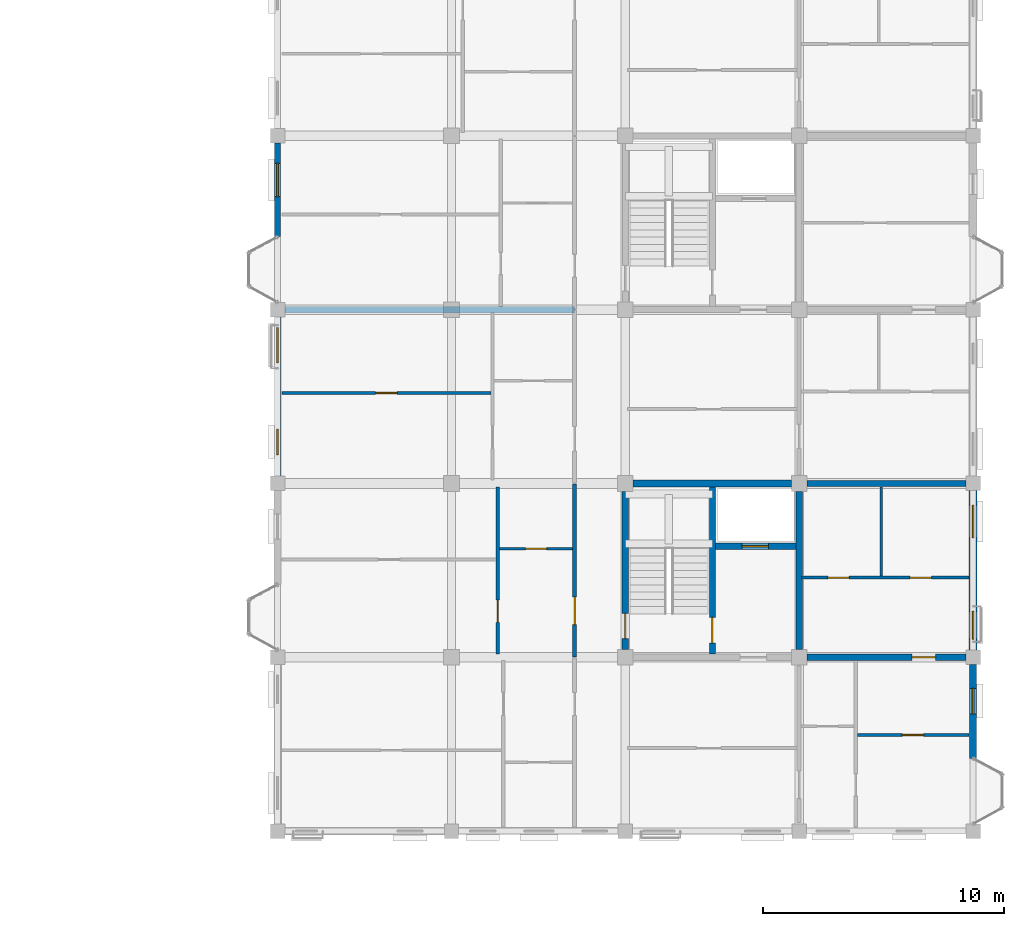
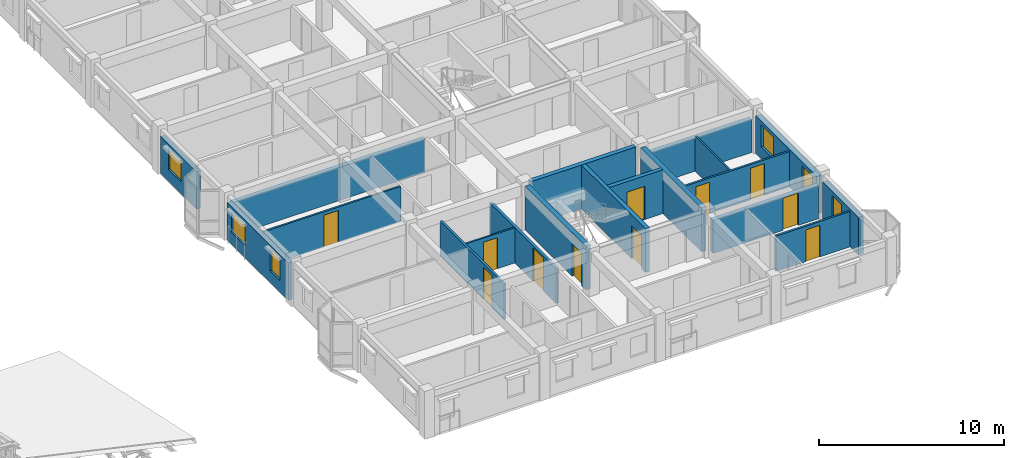
# One storey, part 101 of 124: 19 walls, 11 doors, 6 windows, 17 openings.
"""IFC4 building model written with IfcOpenShell, lengths in metres."""

from ifc_helpers import new_model, si_unit, direction, frame, frame_2d, origin, place, context, subcontext, project, spatial, rectangle, extrude, material, layer, layer_set, type_object, element, fill, save


model = new_model("IFC4")

# Units and contexts
model_context = context("Model", 3, precision=1e-05, world=origin(), true_north=direction((0.0, 1.0)))
body_context = subcontext(model_context, "Body", "Model", "MODEL_VIEW")
ifc_project = project(units=[si_unit("LENGTHUNIT", "METRE"), si_unit("AREAUNIT", "SQUARE_METRE"), si_unit("VOLUMEUNIT", "CUBIC_METRE"), si_unit("PLANEANGLEUNIT", "RADIAN"), si_unit("MASSUNIT", "GRAM", prefix="KILO"), si_unit("THERMODYNAMICTEMPERATUREUNIT", "KELVIN"), si_unit("POWERUNIT", "WATT")], contexts=[model_context])

# Site, building, storey
site_placement = place(None, origin())
site = spatial("IfcSite", under=ifc_project, at=site_placement, CompositionType="ELEMENT")
building_placement = place(site_placement, origin())
building = spatial("IfcBuilding", under=site, at=building_placement, Name="Tavuni Mirador Residences", CompositionType="ELEMENT")
storey_placement = place(building_placement, frame((0.0, 0.0, 7.64990234375)))
storey = spatial("IfcBuildingStorey", under=building, at=storey_placement, Name="L02", CompositionType="ELEMENT", Elevation=7.64990234375)

# Wall, opening, door
ifc_material_1 = material(Name="Precast concrete C40/50", Category="concrete")
ifc_layer_1 = layer(ifc_material_1, 0.25, Name="Precast concrete C40/50", Category="concrete")
ifc_layer_set_1 = layer_set([ifc_layer_1], Name="Precast concrete C40/50")
wall_type_1 = type_object("IfcWallType", Name="WT-COR250", PredefinedType="SHEAR", material=ifc_layer_set_1)
wall_1_placement = place(storey_placement, frame((108.0, 93.739990234375, 0.0), z_axis=(0.0, 0.0, 1.0), x_axis=(0.0, 1.0, 0.0)))
wall_1 = element("IfcWall", 1, at=wall_1_placement, inside=storey, type_object=wall_type_1, Name="CWALL-C7-L02-MID", PredefinedType="SHEAR", context=body_context, shape_type="SweptSolid", body=[
    extrude(rectangle(XDim=6.919921875, YDim=0.25, at=frame_2d((3.4599609375, 0.0))), origin(), (0.0, 0.0, 1.0), 2.89013671875),
])
opening_1_placement = place(wall_1_placement, frame((0.4599609375, 0.0, 0.0)))
opening_1 = element("IfcOpeningElement", 2, at=opening_1_placement, cuts=wall_1, Name="Opening D-01", PredefinedType="OPENING", context=body_context, shape_type="SweptSolid", body=[
    extrude(rectangle(XDim=1.050048828125, YDim=2.14990234375, at=frame_2d((0.52490234375, 1.074951171875))), frame((0.0, 0.135009765625, 0.0), z_axis=(0.0, -1.0, 0.0), x_axis=(1.0, 0.0, 0.0)), (0.0, 0.0, 1.0), 0.27001953125),
])
ifc_material_2 = material(Name="Solid core iroko timber", Category="wood")
door_type_1 = type_object("IfcDoorType", Name="DT-ST1050", OperationType="NOTDEFINED", PredefinedType="DOOR", material=ifc_material_2)
door_1_placement = place(opening_1_placement, origin())
door_1 = element("IfcDoor", 3, at=door_1_placement, inside=storey, type_object=door_type_1, Name="DR-2275", OperationType="SINGLE_SWING_LEFT", OverallHeight=2.14990234375, OverallWidth=1.050048828125, PredefinedType="DOOR", context=body_context, shape_type="SweptSolid", body=[
    extrude(rectangle(XDim=1.050048828125, YDim=2.14990234375, at=frame_2d((0.52490234375, 1.074951171875))), frame((0.0, 0.02490234375, 0.0), z_axis=(0.0, -1.0, 0.0), x_axis=(1.0, 0.0, 0.0)), (0.0, 0.0, 1.0), 0.050048828125),
])
fill(opening_1, door_1)

wall_2_placement = place(storey_placement, frame((108.125, 98.199951171875, 0.0), z_axis=(0.0, 0.0, 1.0), x_axis=(1.0, 0.0, 0.0)))
wall_2 = element("IfcWall", 4, at=wall_2_placement, inside=storey, type_object=wall_type_1, Name="CWALL-C7-L02-SHF", PredefinedType="SHEAR", context=body_context, shape_type="SweptSolid", body=[
    extrude(rectangle(XDim=3.3349609375, YDim=0.25, at=frame_2d((1.66748046875, 0.0))), origin(), (0.0, 0.0, 1.0), 2.89013671875),
])
opening_2_placement = place(wall_2_placement, frame((1.10009765625, 0.0, 0.0)))
opening_2 = element("IfcOpeningElement", 5, at=opening_2_placement, cuts=wall_2, Name="Opening LD-01", PredefinedType="OPENING", context=body_context, shape_type="SweptSolid", body=[
    extrude(rectangle(XDim=1.10009765625, YDim=2.199951171875, at=frame_2d((0.550048828125, 1.10009765625))), frame((0.0, 0.135009765625, 0.0), z_axis=(0.0, -1.0, 0.0), x_axis=(1.0, 0.0, 0.0)), (0.0, 0.0, 1.0), 0.27001953125),
])
ifc_material_3 = material(Name="Structural steel S355", Category="steel")
door_type_2 = type_object("IfcDoorType", Name="DT-LD-FF", OperationType="SLIDING_TO_LEFT", PredefinedType="DOOR", material=ifc_material_3)
door_2_placement = place(opening_2_placement, origin())
door_2 = element("IfcDoor", 6, at=door_2_placement, inside=storey, type_object=door_type_2, Name="Lift landing door FL-D1 L02", OperationType="SLIDING_TO_LEFT", OverallHeight=2.199951171875, OverallWidth=1.10009765625, PredefinedType="DOOR", context=body_context, shape_type="SweptSolid", body=[
    extrude(rectangle(XDim=1.10009765625, YDim=2.199951171875, at=frame_2d((0.550048828125, 1.10009765625))), frame((0.0, 0.02490234375, 0.0), z_axis=(0.0, -1.0, 0.0), x_axis=(1.0, 0.0, 0.0)), (0.0, 0.0, 1.0), 0.050048828125),
])
fill(opening_2, door_2)

ifc_layer_2 = layer(ifc_material_1, 0.280029296875, Name="Precast concrete C40/50", Category="concrete")
ifc_layer_set_2 = layer_set([ifc_layer_2], Name="Precast concrete C40/50")
wall_type_2 = type_object("IfcWallType", Name="WT-COR280", PredefinedType="SHEAR", material=ifc_layer_set_2)
wall_3_placement = place(storey_placement, frame((104.39990234375, 93.925048828125, 0.0), z_axis=(0.0, 0.0, 1.0), x_axis=(0.0, 1.0, 0.0)))
wall_3 = element("IfcWall", 7, at=wall_3_placement, inside=storey, type_object=wall_type_2, Name="CWALL-C7-L02-W", PredefinedType="SHEAR", context=body_context, shape_type="SweptSolid", body=[
    extrude(rectangle(XDim=6.550048828125, YDim=0.280029296875, at=frame_2d((3.27490234375, 0.0))), origin(), (0.0, 0.0, 1.0), 2.89013671875),
])
opening_3_placement = place(wall_3_placement, frame((0.449951171875, 0.0, 0.0)))
opening_3 = element("IfcOpeningElement", 8, at=opening_3_placement, cuts=wall_3, Name="Opening D-01", PredefinedType="OPENING", context=body_context, shape_type="SweptSolid", body=[
    extrude(rectangle(XDim=1.050048828125, YDim=2.14990234375, at=frame_2d((0.52490234375, 1.074951171875))), frame((0.0, 0.14990234375, 0.0), z_axis=(0.0, -1.0, 0.0), x_axis=(1.0, 0.0, 0.0)), (0.0, 0.0, 1.0), 0.300048828125),
])
door_3_placement = place(opening_3_placement, origin())
door_3 = element("IfcDoor", 9, at=door_3_placement, inside=storey, type_object=door_type_1, Name="DR-2273", OperationType="SINGLE_SWING_RIGHT", OverallHeight=2.14990234375, OverallWidth=1.050048828125, PredefinedType="DOOR", context=body_context, shape_type="SweptSolid", body=[
    extrude(rectangle(XDim=1.050048828125, YDim=2.14990234375, at=frame_2d((0.52490234375, 1.074951171875))), frame((0.0, 0.02490234375, 0.0), z_axis=(0.0, -1.0, 0.0), x_axis=(1.0, 0.0, 0.0)), (0.0, 0.0, 1.0), 0.050048828125),
])
fill(opening_3, door_3)

# Walls
wall_4_placement = place(storey_placement, frame((104.72509765625, 100.800048828125, 0.0), z_axis=(0.0, 0.0, 1.0), x_axis=(1.0, 0.0, 0.0)))
element("IfcWall", 10, at=wall_4_placement, inside=storey, type_object=wall_type_2, Name="CWALL-C7-L02-N", PredefinedType="SHEAR", context=body_context, shape_type="SweptSolid", body=[
    extrude(rectangle(XDim=6.5498046875, YDim=0.280029296875, at=frame_2d((3.27490234375, 0.0))), origin(), (0.0, 0.0, 1.0), 2.89013671875),
])
wall_5_placement = place(storey_placement, frame((111.60009765625, 93.925048828125, 0.0), z_axis=(0.0, 0.0, 1.0), x_axis=(0.0, 1.0, 0.0)))
element("IfcWall", 11, at=wall_5_placement, inside=storey, type_object=wall_type_2, Name="CWALL-C7-L02-E", PredefinedType="SHEAR", context=body_context, shape_type="SweptSolid", body=[
    extrude(rectangle(XDim=6.550048828125, YDim=0.280029296875, at=frame_2d((3.27490234375, 0.0))), origin(), (0.0, 0.0, 1.0), 2.89013671875),
])

# Wall, opening, door
ifc_layer_3 = layer(ifc_material_1, 0.1650390625, Name="Precast concrete C40/50", Category="concrete")
ifc_layer_set_3 = layer_set([ifc_layer_3], Name="Precast concrete C40/50")
wall_type_3 = type_object("IfcWallType", Name="WT-CORR165", PredefinedType="PARTITIONING", material=ifc_layer_set_3)
wall_6_placement = place(storey_placement, frame((102.300048828125, 93.6201171875, 0.0), z_axis=(0.0, 0.0, 1.0), x_axis=(0.0, 1.0, 0.0)))
wall_6 = element("IfcWall", 12, at=wall_6_placement, inside=storey, type_object=wall_type_3, Name="CORW-BLK-D-L02-0-01", PredefinedType="PARTITIONING", context=body_context, shape_type="SweptSolid", body=[
    extrude(rectangle(XDim=7.159912109375, YDim=0.1650390625, at=frame_2d((3.580078125, 0.0))), origin(), (0.0, 0.0, 1.0), 2.3251953125),
])
opening_4_placement = place(wall_6_placement, frame((1.330078125, 0.0, 0.0)))
opening_4 = element("IfcOpeningElement", 13, at=opening_4_placement, cuts=wall_6, Name="Opening D-20", PredefinedType="OPENING", context=body_context, shape_type="SweptSolid", body=[
    extrude(rectangle(XDim=1.139892578125, YDim=2.179931640625, at=frame_2d((0.56982421875, 1.08984375))), frame((0.0, 0.092529296875, 0.0), z_axis=(0.0, -1.0, 0.0), x_axis=(1.0, 0.0, 0.0)), (0.0, 0.0, 1.0), 0.18505859375),
])
door_type_3 = type_object("IfcDoorType", Name="DT-FD60-1140", OperationType="NOTDEFINED", PredefinedType="DOOR", material=ifc_material_2)
door_4_placement = place(opening_4_placement, origin())
door_4 = element("IfcDoor", 14, at=door_4_placement, inside=storey, type_object=door_type_3, Name="DR-2834", OperationType="SINGLE_SWING_LEFT", OverallHeight=2.179931640625, OverallWidth=1.139892578125, PredefinedType="DOOR", context=body_context, shape_type="SweptSolid", body=[
    extrude(rectangle(XDim=1.139892578125, YDim=2.179931640625, at=frame_2d((0.56982421875, 1.08984375))), frame((0.0, 0.02490234375, 0.0), z_axis=(0.0, -1.0, 0.0), x_axis=(1.0, 0.0, 0.0)), (0.0, 0.0, 1.0), 0.050048828125),
])
fill(opening_4, door_4)

# Wall, opening, window
ifc_material_4 = material(Name="Sgraffito lime-rendered precast concrete C40/50", Category="concrete")
ifc_layer_4 = layer(ifc_material_4, 0.2548828125, Name="Sgraffito lime-rendered precast concrete C40/50", Category="concrete")
ifc_layer_set_4 = layer_set([ifc_layer_4], Name="Sgraffito lime-rendered precast concrete C40/50")
wall_type_4 = type_object("IfcWallType", Name="WT-EXT-PC255", PredefinedType="SOLIDWALL", material=ifc_layer_set_4)
wall_7_placement = place(storey_placement, frame((90.0, 114.89990234375, 0.0), z_axis=(0.0, 0.0, 1.0), x_axis=(0.0, -1.0, 0.0)))
wall_7 = element("IfcWall", 15, at=wall_7_placement, inside=storey, type_object=wall_type_4, Name="EW-BLK-D-L02-W03", PredefinedType="SOLIDWALL", context=body_context, shape_type="SweptSolid", body=[
    extrude(rectangle(XDim=3.8798828125, YDim=0.2548828125, at=frame_2d((1.93994140625, 0.0))), origin(), (0.0, 0.0, 1.0), 2.460205078125),
])
opening_5_placement = place(wall_7_placement, frame((0.840087890625, 0.0, 0.780029296875)))
opening_5 = element("IfcOpeningElement", 16, at=opening_5_placement, cuts=wall_7, Name="Opening WN-23", PredefinedType="OPENING", context=body_context, shape_type="SweptSolid", body=[
    extrude(rectangle(XDim=1.3798828125, YDim=1.360107421875, at=frame_2d((0.68994140625, 0.68017578125))), frame((0.0, 0.137451171875, 0.0), z_axis=(0.0, -1.0, 0.0), x_axis=(1.0, 0.0, 0.0)), (0.0, 0.0, 1.0), 0.27490234375),
])
ifc_material_5 = material(Name="Laminated solar-control glass", Category="glass")
window_type_1 = type_object("IfcWindowType", Name="WNT-23", PartitioningType="SINGLE_PANEL", PredefinedType="WINDOW", material=ifc_material_5)
window_1_placement = place(opening_5_placement, origin())
window_1 = element("IfcWindow", 17, at=window_1_placement, inside=storey, type_object=window_type_1, Name="WIN-1520", OverallHeight=1.360107421875, OverallWidth=1.3798828125, PartitioningType="SINGLE_PANEL", PredefinedType="WINDOW", context=body_context, shape_type="SweptSolid", body=[
    extrude(rectangle(XDim=1.3798828125, YDim=1.360107421875, at=frame_2d((0.68994140625, 0.68017578125))), frame((0.0, 0.030029296875, 0.0), z_axis=(0.0, -1.0, 0.0), x_axis=(1.0, 0.0, 0.0)), (0.0, 0.0, 1.0), 0.06005859375),
])
fill(opening_5, window_1)

# Wall, openings, windows
ifc_layer_5 = layer(ifc_material_4, 0.27490234375, Name="Sgraffito lime-rendered precast concrete C40/50", Category="concrete")
ifc_layer_set_5 = layer_set([ifc_layer_5], Name="Sgraffito lime-rendered precast concrete C40/50")
wall_type_5 = type_object("IfcWallType", Name="WT-EXT-PC275", PredefinedType="SOLIDWALL", material=ifc_layer_set_5)
wall_8_placement = place(storey_placement, frame((90.0, 107.699951171875, 0.0), z_axis=(0.0, 0.0, 1.0), x_axis=(0.0, -1.0, 0.0)))
wall_8 = element("IfcWall", 18, at=wall_8_placement, inside=storey, type_object=wall_type_5, Name="EW-BLK-D-L02-W02", PredefinedType="SOLIDWALL", context=body_context, shape_type="SweptSolid", body=[
    extrude(rectangle(XDim=6.599853515625, YDim=0.27490234375, at=frame_2d((3.2998046875, 0.0))), origin(), (0.0, 0.0, 1.0), 2.460205078125),
])
opening_6_placement = place(wall_8_placement, frame((0.449951171875, 0.0, 0.780029296875)))
opening_6 = element("IfcOpeningElement", 19, at=opening_6_placement, cuts=wall_8, Name="Opening WN-24", PredefinedType="OPENING", context=body_context, shape_type="SweptSolid", body=[
    extrude(rectangle(XDim=1.4599609375, YDim=1.360107421875, at=frame_2d((0.72998046875, 0.68017578125))), frame((0.0, 0.1474609375, 0.0), z_axis=(0.0, -1.0, 0.0), x_axis=(1.0, 0.0, 0.0)), (0.0, 0.0, 1.0), 0.294921875),
])
opening_7_placement = place(wall_8_placement, frame((4.64990234375, 0.0, 0.780029296875)))
opening_7 = element("IfcOpeningElement", 20, at=opening_7_placement, cuts=wall_8, Name="Opening WN-26", PredefinedType="OPENING", context=body_context, shape_type="SweptSolid", body=[
    extrude(rectangle(XDim=1.050048828125, YDim=1.43994140625, at=frame_2d((0.52490234375, 0.719970703125))), frame((0.0, 0.1474609375, 0.0), z_axis=(0.0, -1.0, 0.0), x_axis=(1.0, 0.0, 0.0)), (0.0, 0.0, 1.0), 0.294921875),
])
window_type_2 = type_object("IfcWindowType", Name="WNT-24", PartitioningType="SINGLE_PANEL", PredefinedType="WINDOW", material=ifc_material_5)
window_2_placement = place(opening_6_placement, origin())
window_2 = element("IfcWindow", 21, at=window_2_placement, inside=storey, type_object=window_type_2, Name="WIN-1521", OverallHeight=1.360107421875, OverallWidth=1.4599609375, PartitioningType="SINGLE_PANEL", PredefinedType="WINDOW", context=body_context, shape_type="SweptSolid", body=[
    extrude(rectangle(XDim=1.4599609375, YDim=1.360107421875, at=frame_2d((0.72998046875, 0.68017578125))), frame((0.0, 0.030029296875, 0.0), z_axis=(0.0, -1.0, 0.0), x_axis=(1.0, 0.0, 0.0)), (0.0, 0.0, 1.0), 0.06005859375),
])
fill(opening_6, window_2)
window_type_3 = type_object("IfcWindowType", Name="WNT-26", PartitioningType="SINGLE_PANEL", PredefinedType="WINDOW", material=ifc_material_5)
window_3_placement = place(opening_7_placement, origin())
window_3 = element("IfcWindow", 22, at=window_3_placement, inside=storey, type_object=window_type_3, Name="WIN-1522", OverallHeight=1.43994140625, OverallWidth=1.050048828125, PartitioningType="SINGLE_PANEL", PredefinedType="WINDOW", context=body_context, shape_type="SweptSolid", body=[
    extrude(rectangle(XDim=1.050048828125, YDim=1.43994140625, at=frame_2d((0.52490234375, 0.719970703125))), frame((0.0, 0.030029296875, 0.0), z_axis=(0.0, -1.0, 0.0), x_axis=(1.0, 0.0, 0.0)), (0.0, 0.0, 1.0), 0.06005859375),
])
fill(opening_7, window_3)

# Wall, opening, window
ifc_layer_6 = layer(ifc_material_4, 0.304931640625, Name="Sgraffito lime-rendered precast concrete C40/50", Category="concrete")
ifc_layer_set_6 = layer_set([ifc_layer_6], Name="Sgraffito lime-rendered precast concrete C40/50")
wall_type_6 = type_object("IfcWallType", Name="WT-EXT-PC305", PredefinedType="SOLIDWALL", material=ifc_layer_set_6)
wall_9_placement = place(storey_placement, frame((118.800048828125, 89.419921875, 0.0), z_axis=(0.0, 0.0, 1.0), x_axis=(0.0, 1.0, 0.0)))
wall_9 = element("IfcWall", 23, at=wall_9_placement, inside=storey, type_object=wall_type_6, Name="EW-BLK-D-L02-E00", PredefinedType="SOLIDWALL", context=body_context, shape_type="SweptSolid", body=[
    extrude(rectangle(XDim=3.880126953125, YDim=0.304931640625, at=frame_2d((1.93994140625, 0.0))), origin(), (0.0, 0.0, 1.0), 2.460205078125),
])
opening_8_placement = place(wall_9_placement, frame((1.840087890625, 0.0, 0.780029296875)))
opening_8 = element("IfcOpeningElement", 24, at=opening_8_placement, cuts=wall_9, Name="Opening WN-26", PredefinedType="OPENING", context=body_context, shape_type="SweptSolid", body=[
    extrude(rectangle(XDim=1.050048828125, YDim=1.43994140625, at=frame_2d((0.52490234375, 0.719970703125))), frame((0.0, 0.16259765625, 0.0), z_axis=(0.0, -1.0, 0.0), x_axis=(1.0, 0.0, 0.0)), (0.0, 0.0, 1.0), 0.324951171875),
])
window_4_placement = place(opening_8_placement, origin())
window_4 = element("IfcWindow", 25, at=window_4_placement, inside=storey, type_object=window_type_3, Name="WIN-1493", OverallHeight=1.43994140625, OverallWidth=1.050048828125, PartitioningType="SINGLE_PANEL", PredefinedType="WINDOW", context=body_context, shape_type="SweptSolid", body=[
    extrude(rectangle(XDim=1.050048828125, YDim=1.43994140625, at=frame_2d((0.52490234375, 0.719970703125))), frame((0.0, 0.030029296875, 0.0), z_axis=(0.0, -1.0, 0.0), x_axis=(1.0, 0.0, 0.0)), (0.0, 0.0, 1.0), 0.06005859375),
])
fill(opening_8, window_4)

# Wall, openings, windows
ifc_layer_7 = layer(ifc_material_4, 0.344970703125, Name="Sgraffito lime-rendered precast concrete C40/50", Category="concrete")
ifc_layer_set_7 = layer_set([ifc_layer_7], Name="Sgraffito lime-rendered precast concrete C40/50")
wall_type_7 = type_object("IfcWallType", Name="WT-EXT-PTY345", PredefinedType="SOLIDWALL", material=ifc_layer_set_7)
wall_10_placement = place(storey_placement, frame((118.800048828125, 93.89990234375, 0.0), z_axis=(0.0, 0.0, 1.0), x_axis=(0.0, 1.0, 0.0)))
wall_10 = element("IfcWall", 26, at=wall_10_placement, inside=storey, type_object=wall_type_7, Name="EW-BLK-D-L02-E01", PredefinedType="SOLIDWALL", context=body_context, shape_type="SweptSolid", body=[
    extrude(rectangle(XDim=6.60009765625, YDim=0.344970703125, at=frame_2d((3.300048828125, 0.0))), origin(), (0.0, 0.0, 1.0), 2.460205078125),
])
opening_9_placement = place(wall_10_placement, frame((0.449951171875, 0.0, 0.780029296875)))
opening_9 = element("IfcOpeningElement", 27, at=opening_9_placement, cuts=wall_10, Name="Opening WN-27", PredefinedType="OPENING", context=body_context, shape_type="SweptSolid", body=[
    extrude(rectangle(XDim=1.14990234375, YDim=1.43994140625, at=frame_2d((0.574951171875, 0.719970703125))), frame((0.0, 0.1826171875, 0.0), z_axis=(0.0, -1.0, 0.0), x_axis=(1.0, 0.0, 0.0)), (0.0, 0.0, 1.0), 0.364990234375),
])
opening_10_placement = place(wall_10_placement, frame((4.64990234375, 0.0, 0.780029296875)))
opening_10 = element("IfcOpeningElement", 28, at=opening_10_placement, cuts=wall_10, Name="Opening WN-29", PredefinedType="OPENING", context=body_context, shape_type="SweptSolid", body=[
    extrude(rectangle(XDim=1.35009765625, YDim=1.43994140625, at=frame_2d((0.675048828125, 0.719970703125))), frame((0.0, 0.1826171875, 0.0), z_axis=(0.0, -1.0, 0.0), x_axis=(1.0, 0.0, 0.0)), (0.0, 0.0, 1.0), 0.364990234375),
])
window_type_4 = type_object("IfcWindowType", Name="WNT-27", PartitioningType="SINGLE_PANEL", PredefinedType="WINDOW", material=ifc_material_5)
window_5_placement = place(opening_9_placement, origin())
window_5 = element("IfcWindow", 29, at=window_5_placement, inside=storey, type_object=window_type_4, Name="WIN-1494", OverallHeight=1.43994140625, OverallWidth=1.14990234375, PartitioningType="SINGLE_PANEL", PredefinedType="WINDOW", context=body_context, shape_type="SweptSolid", body=[
    extrude(rectangle(XDim=1.14990234375, YDim=1.43994140625, at=frame_2d((0.574951171875, 0.719970703125))), frame((0.0, 0.030029296875, 0.0), z_axis=(0.0, -1.0, 0.0), x_axis=(1.0, 0.0, 0.0)), (0.0, 0.0, 1.0), 0.06005859375),
])
fill(opening_9, window_5)
window_type_5 = type_object("IfcWindowType", Name="WNT-29", PartitioningType="SINGLE_PANEL", PredefinedType="WINDOW", material=ifc_material_5)
window_6_placement = place(opening_10_placement, origin())
window_6 = element("IfcWindow", 30, at=window_6_placement, inside=storey, type_object=window_type_5, Name="WIN-1495", OverallHeight=1.43994140625, OverallWidth=1.35009765625, PartitioningType="SINGLE_PANEL", PredefinedType="WINDOW", context=body_context, shape_type="SweptSolid", body=[
    extrude(rectangle(XDim=1.35009765625, YDim=1.43994140625, at=frame_2d((0.675048828125, 0.719970703125))), frame((0.0, 0.030029296875, 0.0), z_axis=(0.0, -1.0, 0.0), x_axis=(1.0, 0.0, 0.0)), (0.0, 0.0, 1.0), 0.06005859375),
])
fill(opening_10, window_6)

# Wall
ifc_material_6 = material(Name="Acoustic gypsum and concrete block partition", Category="concrete")
ifc_layer_8 = layer(ifc_material_6, 0.094970703125, Name="Acoustic gypsum and concrete block partition", Category="concrete")
ifc_layer_set_8 = layer_set([ifc_layer_8], Name="Acoustic gypsum and concrete block partition")
wall_type_8 = type_object("IfcWallType", Name="WT-PART095", PredefinedType="PARTITIONING", material=ifc_layer_set_8)
wall_11_placement = place(storey_placement, frame((115.0, 96.969970703125, 0.0), z_axis=(0.0, 0.0, 1.0), x_axis=(0.0, 1.0, 0.0)))
element("IfcWall", 31, at=wall_11_placement, inside=storey, type_object=wall_type_8, Name="PW-BLK-D-L02-PF01-V", PredefinedType="PARTITIONING", context=body_context, shape_type="SweptSolid", body=[
    extrude(rectangle(XDim=3.68994140625, YDim=0.094970703125, at=frame_2d((1.844970703125, 0.0))), origin(), (0.0, 0.0, 1.0), 2.3251953125),
])

# Wall, opening, door
ifc_layer_9 = layer(ifc_material_6, 0.10498046875, Name="Acoustic gypsum and concrete block partition", Category="concrete")
ifc_layer_set_9 = layer_set([ifc_layer_9], Name="Acoustic gypsum and concrete block partition")
wall_type_9 = type_object("IfcWallType", Name="WT-PART105", PredefinedType="PARTITIONING", material=ifc_layer_set_9)
wall_12_placement = place(storey_placement, frame((99.18994140625, 98.10009765625, 0.0), z_axis=(0.0, 0.0, 1.0), x_axis=(1.0, 0.0, 0.0)))
wall_12 = element("IfcWall", 32, at=wall_12_placement, inside=storey, type_object=wall_type_9, Name="PW-BLK-D-L02-W01-IN1", PredefinedType="PARTITIONING", context=body_context, shape_type="SweptSolid", body=[
    extrude(rectangle(XDim=3.02001953125, YDim=0.10498046875, at=frame_2d((1.510009765625, 0.0))), origin(), (0.0, 0.0, 1.0), 2.3251953125),
])
opening_11_placement = place(wall_12_placement, frame((1.074951171875, 0.0, 0.0)))
opening_11 = element("IfcOpeningElement", 33, at=opening_11_placement, cuts=wall_12, Name="Opening D-10", PredefinedType="OPENING", context=body_context, shape_type="SweptSolid", body=[
    extrude(rectangle(XDim=0.8701171875, YDim=2.050048828125, at=frame_2d((0.43505859375, 1.02490234375))), frame((0.0, 0.0625, 0.0), z_axis=(0.0, -1.0, 0.0), x_axis=(1.0, 0.0, 0.0)), (0.0, 0.0, 1.0), 0.125),
])
door_type_4 = type_object("IfcDoorType", Name="DT-WC870", OperationType="NOTDEFINED", PredefinedType="DOOR", material=ifc_material_2)
door_5_placement = place(opening_11_placement, origin())
door_5 = element("IfcDoor", 34, at=door_5_placement, inside=storey, type_object=door_type_4, Name="DR-4359", OperationType="SINGLE_SWING_LEFT", OverallHeight=2.050048828125, OverallWidth=0.8701171875, PredefinedType="DOOR", context=body_context, shape_type="SweptSolid", body=[
    extrude(rectangle(XDim=0.8701171875, YDim=2.050048828125, at=frame_2d((0.43505859375, 1.02490234375))), frame((0.0, 0.02490234375, 0.0), z_axis=(0.0, -1.0, 0.0), x_axis=(1.0, 0.0, 0.0)), (0.0, 0.0, 1.0), 0.050048828125),
])
fill(opening_11, door_5)

ifc_layer_10 = layer(ifc_material_6, 0.114990234375, Name="Acoustic gypsum and concrete block partition", Category="concrete")
ifc_layer_set_10 = layer_set([ifc_layer_10], Name="Acoustic gypsum and concrete block partition")
wall_type_10 = type_object("IfcWallType", Name="WT-PART115", PredefinedType="PARTITIONING", material=ifc_layer_set_10)
wall_13_placement = place(storey_placement, frame((90.175048828125, 104.550048828125, 0.0), z_axis=(0.0, 0.0, 1.0), x_axis=(1.0, 0.0, 0.0)))
wall_13 = element("IfcWall", 35, at=wall_13_placement, inside=storey, type_object=wall_type_10, Name="PW-BLK-D-L02-W02-OUT", PredefinedType="PARTITIONING", context=body_context, shape_type="SweptSolid", body=[
    extrude(rectangle(XDim=8.655029296875, YDim=0.114990234375, at=frame_2d((4.32763671875, 0.0))), origin(), (0.0, 0.0, 1.0), 2.3251953125),
])
opening_12_placement = place(wall_13_placement, frame((3.87744140625, 0.0, 0.0)))
opening_12 = element("IfcOpeningElement", 36, at=opening_12_placement, cuts=wall_13, Name="Opening D-07", PredefinedType="OPENING", context=body_context, shape_type="SweptSolid", body=[
    extrude(rectangle(XDim=0.89990234375, YDim=2.10009765625, at=frame_2d((0.449951171875, 1.050048828125))), frame((0.0, 0.0673828125, 0.0), z_axis=(0.0, -1.0, 0.0), x_axis=(1.0, 0.0, 0.0)), (0.0, 0.0, 1.0), 0.135009765625),
])
door_type_5 = type_object("IfcDoorType", Name="DT-BED900", OperationType="NOTDEFINED", PredefinedType="DOOR", material=ifc_material_2)
door_6_placement = place(opening_12_placement, origin())
door_6 = element("IfcDoor", 37, at=door_6_placement, inside=storey, type_object=door_type_5, Name="DR-4364", OperationType="SINGLE_SWING_LEFT", OverallHeight=2.10009765625, OverallWidth=0.89990234375, PredefinedType="DOOR", context=body_context, shape_type="SweptSolid", body=[
    extrude(rectangle(XDim=0.89990234375, YDim=2.10009765625, at=frame_2d((0.449951171875, 1.050048828125))), frame((0.0, 0.02490234375, 0.0), z_axis=(0.0, -1.0, 0.0), x_axis=(1.0, 0.0, 0.0)), (0.0, 0.0, 1.0), 0.050048828125),
])
fill(opening_12, door_6)

ifc_layer_11 = layer(ifc_material_6, 0.125, Name="Acoustic gypsum and concrete block partition", Category="concrete")
ifc_layer_set_11 = layer_set([ifc_layer_11], Name="Acoustic gypsum and concrete block partition")
wall_type_11 = type_object("IfcWallType", Name="WT-PART125", PredefinedType="PARTITIONING", material=ifc_layer_set_11)
wall_14_placement = place(storey_placement, frame((114.010009765625, 90.3798828125, 0.0), z_axis=(0.0, 0.0, 1.0), x_axis=(1.0, 0.0, 0.0)))
wall_14 = element("IfcWall", 38, at=wall_14_placement, inside=storey, type_object=wall_type_11, Name="PW-BLK-D-L02-E00-OUT", PredefinedType="PARTITIONING", context=body_context, shape_type="SweptSolid", body=[
    extrude(rectangle(XDim=4.614990234375, YDim=0.125, at=frame_2d((2.3076171875, 0.0))), origin(), (0.0, 0.0, 1.0), 2.3251953125),
])
opening_13_placement = place(wall_14_placement, frame((1.867431640625, 0.0, 0.0)))
opening_13 = element("IfcOpeningElement", 39, at=opening_13_placement, cuts=wall_14, Name="Opening D-08", PredefinedType="OPENING", context=body_context, shape_type="SweptSolid", body=[
    extrude(rectangle(XDim=0.8798828125, YDim=2.080078125, at=frame_2d((0.43994140625, 1.0400390625))), frame((0.0, 0.072509765625, 0.0), z_axis=(0.0, -1.0, 0.0), x_axis=(1.0, 0.0, 0.0)), (0.0, 0.0, 1.0), 0.14501953125),
])
door_type_6 = type_object("IfcDoorType", Name="DT-BED880", OperationType="NOTDEFINED", PredefinedType="DOOR", material=ifc_material_2)
door_7_placement = place(opening_13_placement, origin())
door_7 = element("IfcDoor", 40, at=door_7_placement, inside=storey, type_object=door_type_6, Name="DR-4355", OperationType="SINGLE_SWING_RIGHT", OverallHeight=2.080078125, OverallWidth=0.8798828125, PredefinedType="DOOR", context=body_context, shape_type="SweptSolid", body=[
    extrude(rectangle(XDim=0.8798828125, YDim=2.080078125, at=frame_2d((0.43994140625, 1.0400390625))), frame((0.0, 0.02490234375, 0.0), z_axis=(0.0, -1.0, 0.0), x_axis=(1.0, 0.0, 0.0)), (0.0, 0.0, 1.0), 0.050048828125),
])
fill(opening_13, door_7)

# Wall, openings, doors
wall_15_placement = place(storey_placement, frame((111.68994140625, 96.89990234375, 0.0), z_axis=(0.0, 0.0, 1.0), x_axis=(1.0, 0.0, 0.0)))
wall_15 = element("IfcWall", 41, at=wall_15_placement, inside=storey, type_object=wall_type_11, Name="PW-BLK-D-L02-PF01-H", PredefinedType="PARTITIONING", context=body_context, shape_type="SweptSolid", body=[
    extrude(rectangle(XDim=6.93505859375, YDim=0.125, at=frame_2d((3.467529296875, 0.0))), origin(), (0.0, 0.0, 1.0), 2.3251953125),
])
opening_14_placement = place(wall_15_placement, frame((1.10009765625, 0.0, 0.0)))
opening_14 = element("IfcOpeningElement", 42, at=opening_14_placement, cuts=wall_15, Name="Opening D-10", PredefinedType="OPENING", context=body_context, shape_type="SweptSolid", body=[
    extrude(rectangle(XDim=0.8701171875, YDim=2.050048828125, at=frame_2d((0.43505859375, 1.02490234375))), frame((0.0, 0.072509765625, 0.0), z_axis=(0.0, -1.0, 0.0), x_axis=(1.0, 0.0, 0.0)), (0.0, 0.0, 1.0), 0.14501953125),
])
opening_15_placement = place(wall_15_placement, frame((4.5, 0.0, 0.0)))
opening_15 = element("IfcOpeningElement", 43, at=opening_15_placement, cuts=wall_15, Name="Opening D-08", PredefinedType="OPENING", context=body_context, shape_type="SweptSolid", body=[
    extrude(rectangle(XDim=0.8798828125, YDim=2.080078125, at=frame_2d((0.43994140625, 1.0400390625))), frame((0.0, 0.072509765625, 0.0), z_axis=(0.0, -1.0, 0.0), x_axis=(1.0, 0.0, 0.0)), (0.0, 0.0, 1.0), 0.14501953125),
])
door_8_placement = place(opening_15_placement, origin())
door_8 = element("IfcDoor", 44, at=door_8_placement, inside=storey, type_object=door_type_6, Name="DR-4362", OperationType="SINGLE_SWING_RIGHT", OverallHeight=2.080078125, OverallWidth=0.8798828125, PredefinedType="DOOR", context=body_context, shape_type="SweptSolid", body=[
    extrude(rectangle(XDim=0.8798828125, YDim=2.080078125, at=frame_2d((0.43994140625, 1.0400390625))), frame((0.0, 0.02490234375, 0.0), z_axis=(0.0, -1.0, 0.0), x_axis=(1.0, 0.0, 0.0)), (0.0, 0.0, 1.0), 0.050048828125),
])
fill(opening_15, door_8)
door_9_placement = place(opening_14_placement, origin())
door_9 = element("IfcDoor", 45, at=door_9_placement, inside=storey, type_object=door_type_4, Name="DR-4361", OperationType="SINGLE_SWING_LEFT", OverallHeight=2.050048828125, OverallWidth=0.8701171875, PredefinedType="DOOR", context=body_context, shape_type="SweptSolid", body=[
    extrude(rectangle(XDim=0.8701171875, YDim=2.050048828125, at=frame_2d((0.43505859375, 1.02490234375))), frame((0.0, 0.02490234375, 0.0), z_axis=(0.0, -1.0, 0.0), x_axis=(1.0, 0.0, 0.0)), (0.0, 0.0, 1.0), 0.050048828125),
])
fill(opening_14, door_9)

# Wall, opening, door
ifc_layer_12 = layer(ifc_material_6, 0.139892578125, Name="Acoustic gypsum and concrete block partition", Category="concrete")
ifc_layer_set_12 = layer_set([ifc_layer_12], Name="Acoustic gypsum and concrete block partition")
wall_type_12 = type_object("IfcWallType", Name="WT-PART140", PredefinedType="PARTITIONING", material=ifc_layer_set_12)
wall_16_placement = place(storey_placement, frame((99.1201171875, 93.739990234375, 0.0), z_axis=(0.0, 0.0, 1.0), x_axis=(0.0, 1.0, 0.0)))
wall_16 = element("IfcWall", 46, at=wall_16_placement, inside=storey, type_object=wall_type_12, Name="PW-BLK-D-L02-W01-MID", PredefinedType="PARTITIONING", context=body_context, shape_type="SweptSolid", body=[
    extrude(rectangle(XDim=6.919921875, YDim=0.139892578125, at=frame_2d((3.4599609375, 0.0))), origin(), (0.0, 0.0, 1.0), 2.3251953125),
])
opening_16_placement = place(wall_16_placement, frame((1.31005859375, 0.0, 0.0)))
opening_16 = element("IfcOpeningElement", 47, at=opening_16_placement, cuts=wall_16, Name="Opening D-06", PredefinedType="OPENING", context=body_context, shape_type="SweptSolid", body=[
    extrude(rectangle(XDim=0.919921875, YDim=2.10009765625, at=frame_2d((0.4599609375, 1.050048828125))), frame((0.0, 0.080078125, 0.0), z_axis=(0.0, -1.0, 0.0), x_axis=(1.0, 0.0, 0.0)), (0.0, 0.0, 1.0), 0.159912109375),
])
door_type_7 = type_object("IfcDoorType", Name="DT-INT920", OperationType="NOTDEFINED", PredefinedType="DOOR", material=ifc_material_2)
door_10_placement = place(opening_16_placement, origin())
door_10 = element("IfcDoor", 48, at=door_10_placement, inside=storey, type_object=door_type_7, Name="DR-4360", OperationType="SINGLE_SWING_RIGHT", OverallHeight=2.10009765625, OverallWidth=0.919921875, PredefinedType="DOOR", context=body_context, shape_type="SweptSolid", body=[
    extrude(rectangle(XDim=0.919921875, YDim=2.10009765625, at=frame_2d((0.4599609375, 1.050048828125))), frame((0.0, 0.02490234375, 0.0), z_axis=(0.0, -1.0, 0.0), x_axis=(1.0, 0.0, 0.0)), (0.0, 0.0, 1.0), 0.050048828125),
])
fill(opening_16, door_10)

ifc_layer_13 = layer(ifc_material_1, 0.264892578125, Name="Precast concrete C40/50", Category="concrete")
ifc_layer_set_13 = layer_set([ifc_layer_13], Name="Precast concrete C40/50")
wall_type_13 = type_object("IfcWallType", Name="WT-XW265", PredefinedType="SOLIDWALL", material=ifc_layer_set_13)
wall_17_placement = place(storey_placement, frame((111.925048828125, 93.60009765625, 0.0), z_axis=(0.0, 0.0, 1.0), x_axis=(1.0, 0.0, 0.0)))
wall_17 = element("IfcWall", 49, at=wall_17_placement, inside=storey, type_object=wall_type_13, Name="XW-BLK-D-L02-E-01", PredefinedType="SOLIDWALL", context=body_context, shape_type="SweptSolid", body=[
    extrude(rectangle(XDim=6.574951171875, YDim=0.264892578125, at=frame_2d((3.28759765625, 0.0))), origin(), (0.0, 0.0, 1.0), 2.190185546875),
])
opening_17_placement = place(wall_17_placement, frame((4.35009765625, 0.0, 0.0)))
opening_17 = element("IfcOpeningElement", 50, at=opening_17_placement, cuts=wall_17, Name="Opening D-04", PredefinedType="OPENING", context=body_context, shape_type="SweptSolid", body=[
    extrude(rectangle(XDim=0.97998046875, YDim=2.1201171875, at=frame_2d((0.489990234375, 1.06005859375))), frame((0.0, 0.142578125, 0.0), z_axis=(0.0, -1.0, 0.0), x_axis=(1.0, 0.0, 0.0)), (0.0, 0.0, 1.0), 0.284912109375),
])
door_type_8 = type_object("IfcDoorType", Name="DT-FD60-980", OperationType="NOTDEFINED", PredefinedType="DOOR", material=ifc_material_2)
door_11_placement = place(opening_17_placement, origin())
door_11 = element("IfcDoor", 51, at=door_11_placement, inside=storey, type_object=door_type_8, Name="DR-4762", OperationType="SINGLE_SWING_LEFT", OverallHeight=2.1201171875, OverallWidth=0.97998046875, PredefinedType="DOOR", context=body_context, shape_type="SweptSolid", body=[
    extrude(rectangle(XDim=0.97998046875, YDim=2.1201171875, at=frame_2d((0.489990234375, 1.06005859375))), frame((0.0, 0.02490234375, 0.0), z_axis=(0.0, -1.0, 0.0), x_axis=(1.0, 0.0, 0.0)), (0.0, 0.0, 1.0), 0.050048828125),
])
fill(opening_17, door_11)

# Walls
wall_18_placement = place(storey_placement, frame((111.925048828125, 100.800048828125, 0.0), z_axis=(0.0, 0.0, 1.0), x_axis=(1.0, 0.0, 0.0)))
element("IfcWall", 52, at=wall_18_placement, inside=storey, type_object=wall_type_13, Name="XW-BLK-D-L02-E-02", PredefinedType="SOLIDWALL", context=body_context, shape_type="SweptSolid", body=[
    extrude(rectangle(XDim=6.574951171875, YDim=0.264892578125, at=frame_2d((3.28759765625, 0.0))), origin(), (0.0, 0.0, 1.0), 2.190185546875),
])
wall_19_placement = place(storey_placement, frame((90.300048828125, 108.0, 0.0), z_axis=(0.0, 0.0, 1.0), x_axis=(1.0, 0.0, 0.0)))
element("IfcWall", 53, at=wall_19_placement, inside=storey, type_object=wall_type_13, Name="XW-BLK-D-L02-W-03", PredefinedType="SOLIDWALL", context=body_context, shape_type="SweptSolid", body=[
    extrude(rectangle(XDim=12.0, YDim=0.264892578125, at=frame_2d((6.0, 0.0))), origin(), (0.0, 0.0, 1.0), 2.190185546875),
])

save(model, "model.ifc")
